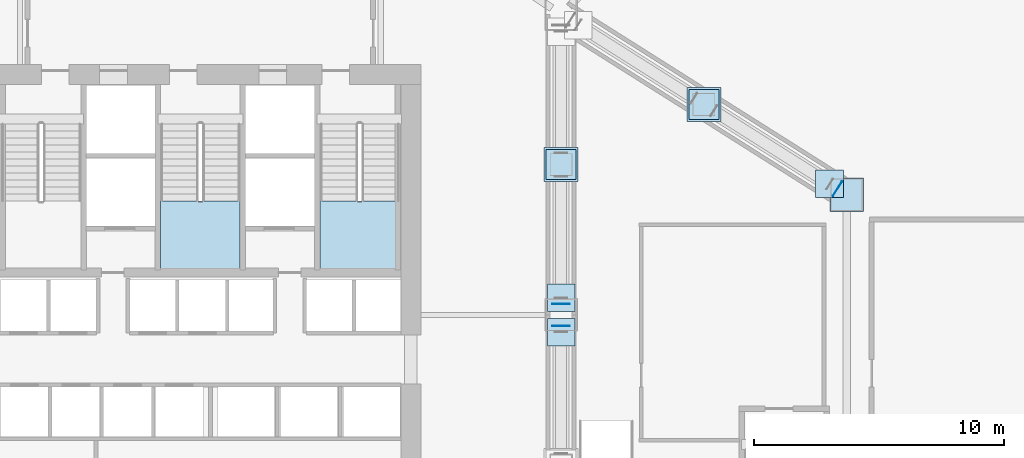
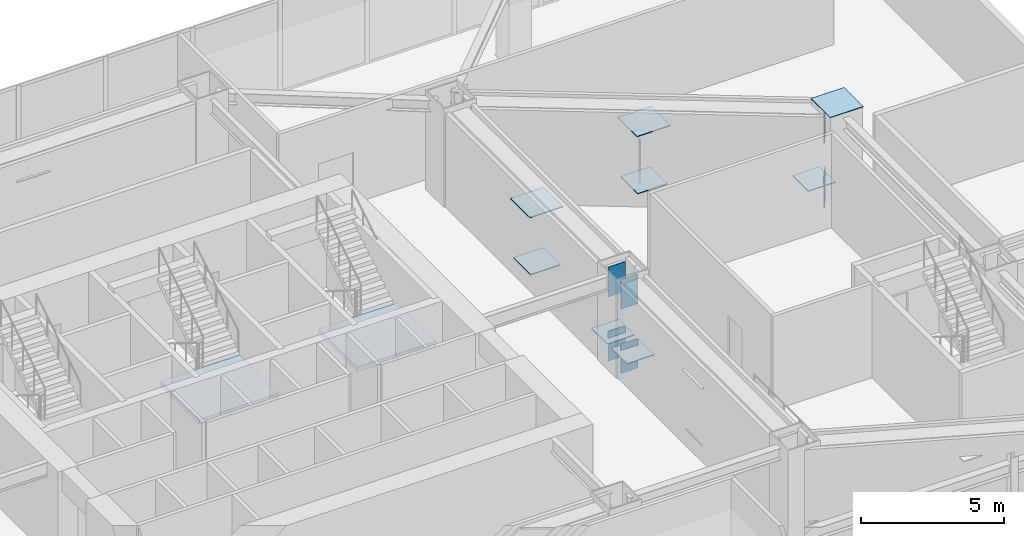
# One storey, part 24 of 39: 14 plates, 2 slabs, 2 elements without a shape of their own.
"""IFC4 building model written with IfcOpenShell, lengths in metres."""

from ifc_helpers import new_model, si_unit, direction, frame, origin, origin_2d, place, context, subcontext, project, spatial, polyline, rectangle, outline, extrude, material, layer, layer_set, type_object, element, aggregate, save


model = new_model("IFC4")

# Units and contexts
model_context = context("Model", 3, precision=1e-05, world=origin(), true_north=direction((0.0, 1.0)))
body_context = subcontext(model_context, "Body", "Model", "MODEL_VIEW")
ifc_project = project(units=[si_unit("LENGTHUNIT", "METRE"), si_unit("AREAUNIT", "SQUARE_METRE"), si_unit("VOLUMEUNIT", "CUBIC_METRE"), si_unit("PLANEANGLEUNIT", "RADIAN"), si_unit("MASSUNIT", "GRAM", prefix="KILO")], contexts=[model_context])

# Site, building, storey
site_placement = place(None, origin())
site = spatial("IfcSite", under=ifc_project, at=site_placement, CompositionType="ELEMENT")
building_placement = place(site_placement, origin())
building = spatial("IfcBuilding", under=site, at=building_placement, Name="Haolan Belvedere Tower", CompositionType="ELEMENT")
storey_placement = place(building_placement, frame((0.0, 0.0, 19.800048828125)))
storey = spatial("IfcBuildingStorey", under=building, at=storey_placement, Name="L04", CompositionType="ELEMENT", Elevation=19.800048828125)

# Plates
ifc_material_1 = material(Name="Steel Q355B", Category="steel")
ifc_layer_1 = layer(ifc_material_1, 0.02490234375, Name="Steel Q355B")
ifc_layer_set_1 = layer_set([ifc_layer_1], Name="Steel Q355B")
plate_type_1 = type_object("IfcPlateType", Name="PL-CAP-25", PredefinedType="SHEET", material=ifc_layer_set_1)
plate_1_placement = place(storey_placement, frame((64.199951171875, 38.39990234375, 4.199951171875), z_axis=(0.0, 0.0, 1.0), x_axis=(1.0, 0.0, 0.0)))
element("IfcPlate", 1, at=plate_1_placement, inside=storey, type_object=plate_type_1, Name="Hollow steel end-cap plate COL-L04-MC-T4-NE-TCAP", PredefinedType="SHEET", context=body_context, shape_type="SweptSolid", body=[
    extrude(rectangle(XDim=1.340087890625, YDim=1.340087890625, at=origin_2d()), origin(), (0.0, 0.0, 1.0), 0.02490234375),
])
for number, where, z_axis, x_axis, name in (
    (2, (52.800048828125, 33.16259765625, 2.7099609375), (0.0, 0.0, 1.0), (-1.0, 0.0, 0.0), "Hollow steel end-cap plate TT-T3-E1-TC-CAP1"),
    (3, (52.800048828125, 33.16259765625, -0.0302734375), (0.0, 0.0, 1.0), (-1.0, 0.0, 0.0), "Hollow steel end-cap plate TT-T3-E1-BC-CAP1"),
    (4, (52.800048828125, 34.03759765625, 2.7099609375), (0.0, 0.0, 1.0), (1.0, 0.0, 0.0), "Hollow steel end-cap plate TT-T3-E2-TC-CAP0"),
    (5, (52.800048828125, 34.03759765625, -0.0302734375), (0.0, 0.0, 1.0), (1.0, 0.0, 0.0), "Hollow steel end-cap plate TT-T3-E2-BC-CAP0"),
    (6, (63.830078125, 38.633544921875, 2.7099609375), (0.0, 0.0, 1.0), (0.533998240073, 0.845485588049, 0.0), "Hollow steel end-cap plate TT-T4-N-TC-CAP1"),
    (7, (63.830078125, 38.633544921875, -0.0302734375), (0.0, 0.0, 1.0), (0.533998240073, 0.845485588049, 0.0), "Hollow steel end-cap plate TT-T4-N-BC-CAP1"),
):
    element("IfcPlate", number, at=place(storey_placement, frame(where, z_axis=z_axis, x_axis=x_axis)), inside=storey, type_object=plate_type_1, Name=name, PredefinedType="SHEET", context=body_context, shape_type="SweptSolid", body=[
        extrude(rectangle(XDim=0.68994140625, YDim=0.02490234375, at=origin_2d()), origin(), (0.0, 0.0, 1.0), 1.260009765625),
    ])
ifc_material_2 = material(Name="Steel Q420GJC", Category="steel")
ifc_layer_2 = layer(ifc_material_2, 0.034912109375, Name="Steel Q420GJC")
ifc_layer_set_2 = layer_set([ifc_layer_2], Name="Steel Q420GJC")
plate_type_2 = type_object("IfcPlateType", Name="PL-NODE-NP01", PredefinedType="USERDEFINED", material=ifc_layer_set_2)
for number, where, z_axis, x_axis, name in (
    (8, (52.800048828125, 32.909912109375, 0.92236328125), (0.0, 0.0, 1.0), (1.0, 0.0, 0.0), "NP-01 transfer truss base gusset plate TT-T3-E1.2"),
    (9, (52.800048828125, 34.2900390625, 0.92236328125), (0.0, 0.0, 1.0), (1.0, 0.0, 0.0), "NP-01 transfer truss base gusset plate TT-T3-E2.1"),
):
    element("IfcPlate", number, at=place(storey_placement, frame(where, z_axis=z_axis, x_axis=x_axis)), inside=storey, type_object=plate_type_2, Name=name, ObjectType="GUSSET", PredefinedType="USERDEFINED", context=body_context, shape_type="SweptSolid", body=[
        extrude(rectangle(XDim=1.10009765625, YDim=1.10009765625, at=origin_2d()), origin(), (0.0, 0.0, 1.0), 0.034912109375),
    ])
plate_2_placement = place(storey_placement, frame((52.800048828125, 39.60009765625, 3.20263671875), z_axis=(0.0, 0.0, 1.0), x_axis=(1.0, 0.0, 0.0)))
element("IfcPlate", 10, at=plate_2_placement, inside=storey, type_object=plate_type_2, Name="NP-01 transfer truss node assembly TT-T3-E2", ObjectType="GUSSET", PredefinedType="USERDEFINED", context=body_context, shape_type="SweptSolid", body=[
    extrude(rectangle(XDim=1.35009765625, YDim=1.35009765625, at=origin_2d()), origin(), (0.0, 0.0, 1.0), 0.034912109375),
])
plate_3_placement = place(storey_placement, frame((52.800048828125, 39.60009765625, 0.70263671875), z_axis=(0.0, 0.0, 1.0), x_axis=(1.0, 0.0, 0.0)))
element("IfcPlate", 11, at=plate_3_placement, inside=storey, type_object=plate_type_2, Name="NP-01 transfer truss lower chord node plate TT-T3-E2", ObjectType="GUSSET", PredefinedType="USERDEFINED", context=body_context, shape_type="SweptSolid", body=[
    extrude(rectangle(XDim=1.199951171875, YDim=1.199951171875, at=origin_2d()), origin(), (0.0, 0.0, 1.0), 0.034912109375),
])
plate_4_placement = place(storey_placement, frame((63.51611328125, 38.831787109375, 0.92236328125), z_axis=(0.0, 0.0, 1.0), x_axis=(1.0, 0.0, 0.0)))
element("IfcPlate", 12, at=plate_4_placement, inside=storey, type_object=plate_type_2, Name="NP-01 transfer truss base gusset plate TT-T4-N.2", ObjectType="GUSSET", PredefinedType="USERDEFINED", context=body_context, shape_type="SweptSolid", body=[
    extrude(rectangle(XDim=1.10009765625, YDim=1.10009765625, at=origin_2d()), origin(), (0.0, 0.0, 1.0), 0.034912109375),
])
plate_5_placement = place(storey_placement, frame((58.5, 42.0, 3.20263671875), z_axis=(0.0, 0.0, 1.0), x_axis=(1.0, 0.0, 0.0)))
element("IfcPlate", 13, at=plate_5_placement, inside=storey, type_object=plate_type_2, Name="NP-01 transfer truss node assembly TT-T4-N", ObjectType="GUSSET", PredefinedType="USERDEFINED", context=body_context, shape_type="SweptSolid", body=[
    extrude(rectangle(XDim=1.35009765625, YDim=1.35009765625, at=origin_2d()), origin(), (0.0, 0.0, 1.0), 0.034912109375),
])
plate_6_placement = place(storey_placement, frame((58.5, 42.0, 0.70263671875), z_axis=(0.0, 0.0, 1.0), x_axis=(1.0, 0.0, 0.0)))
element("IfcPlate", 14, at=plate_6_placement, inside=storey, type_object=plate_type_2, Name="NP-01 transfer truss lower chord node plate TT-T4-N", ObjectType="GUSSET", PredefinedType="USERDEFINED", context=body_context, shape_type="SweptSolid", body=[
    extrude(rectangle(XDim=1.199951171875, YDim=1.199951171875, at=origin_2d()), origin(), (0.0, 0.0, 1.0), 0.034912109375),
])

# Stair, slab
ifc_material_3 = material(Name="Concrete C40/50", Category="concrete")
stair_type = type_object("IfcStairType", Name="STR-DL-24R-175", PredefinedType="HALF_TURN_STAIR", material=ifc_material_3)
stair_1_placement = place(storey_placement, origin())
stair_1 = element("IfcStair", 15, at=stair_1_placement, inside=storey, type_object=stair_type, Name="L04 Smokeproof Core Exit Stair ST3", PredefinedType="HALF_TURN_STAIR")
ifc_layer_3 = layer(ifc_material_3, 0.199951171875, Name="Concrete C40/50")
ifc_layer_set_3 = layer_set([ifc_layer_3], Name="Concrete C40/50")
slab_type = type_object("IfcSlabType", Name="SL-LAND-200", PredefinedType="LANDING", material=ifc_layer_set_3)
slab_1_placement = place(storey_placement, frame((0.0, 0.0, 1.89990234375)))
slab_1 = element("IfcSlab", 16, at=slab_1_placement, type_object=slab_type, Name="ST3 landing 1", PredefinedType="LANDING", context=body_context, shape_type="SweptSolid", body=[
    extrude(outline(polyline([(36.81005859375, 38.14990234375), (36.81005859375, 35.449951171875), (39.989990234375, 35.449951171875), (39.989990234375, 38.14990234375), (36.81005859375, 38.14990234375)])), origin(), (0.0, 0.0, 1.0), 0.199951171875),
])
aggregate(stair_1, [slab_1])

stair_2_placement = place(storey_placement, origin())
stair_2 = element("IfcStair", 17, at=stair_2_placement, inside=storey, type_object=stair_type, Name="L04 Smokeproof Core Exit Stair ST2", PredefinedType="HALF_TURN_STAIR")
slab_2_placement = place(storey_placement, frame((0.0, 0.0, 1.89990234375)))
slab_2 = element("IfcSlab", 18, at=slab_2_placement, type_object=slab_type, Name="ST2 landing 1", PredefinedType="LANDING", context=body_context, shape_type="SweptSolid", body=[
    extrude(outline(polyline([(43.169921875, 38.14990234375), (43.169921875, 35.449951171875), (46.35009765625, 35.449951171875), (46.35009765625, 38.14990234375), (43.169921875, 38.14990234375)])), origin(), (0.0, 0.0, 1.0), 0.199951171875),
])
aggregate(stair_2, [slab_2])

save(model, "model.ifc")
